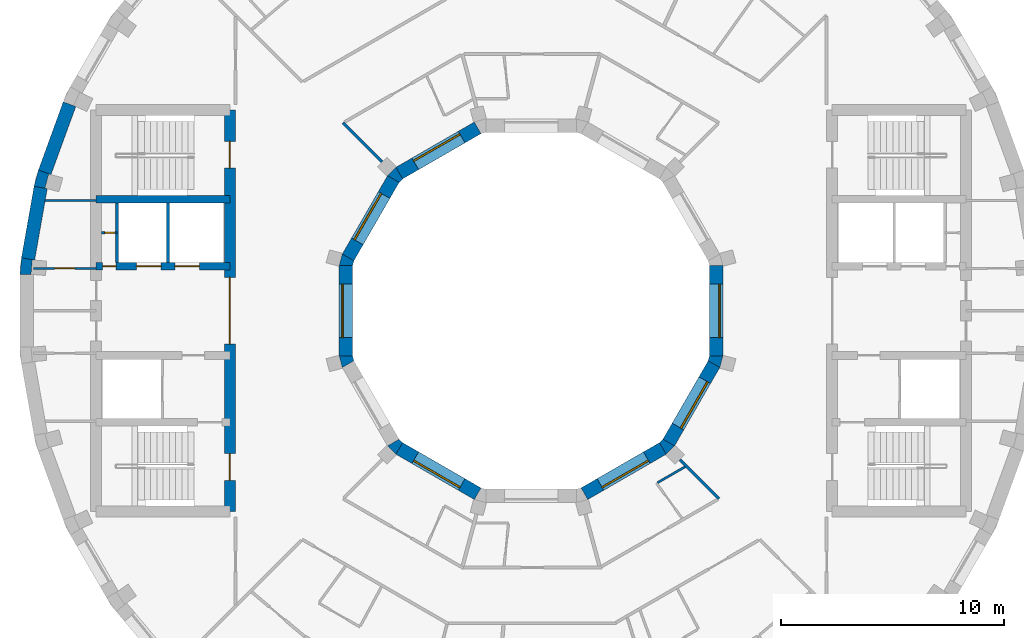
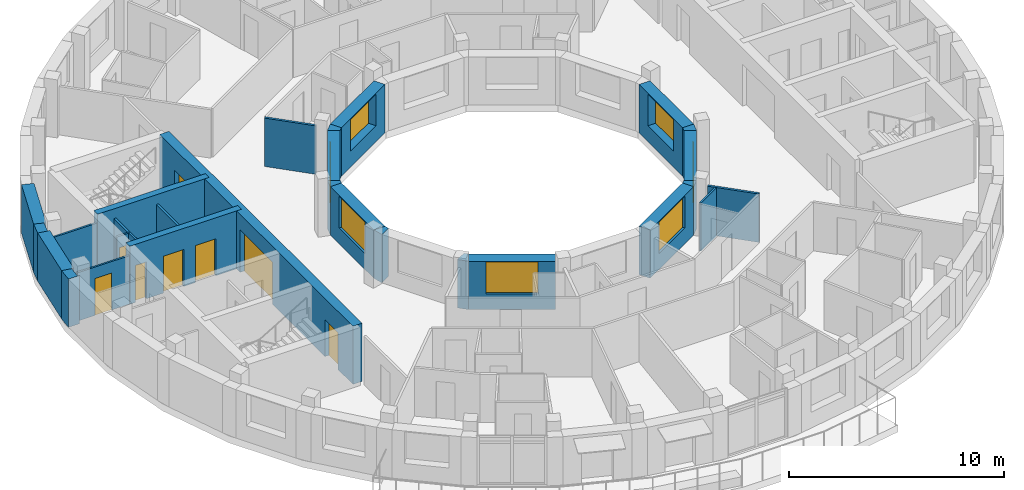
# One storey, part 6 of 12: 28 walls, 8 doors, 7 windows, 15 openings.
"""IFC4 building model written with IfcOpenShell, lengths in metres."""

from ifc_helpers import new_model, si_unit, direction, frame, frame_2d, origin, place, context, subcontext, project, spatial, polyline, rectangle, outline, extrude, material, layer, layer_set, type_object, element, fill, save


model = new_model("IFC4")

# Units and contexts
model_context = context("Model", 3, precision=1e-05, world=origin(), true_north=direction((0.0, 1.0)))
body_context = subcontext(model_context, "Body", "Model", "MODEL_VIEW")
ifc_project = project(units=[si_unit("LENGTHUNIT", "METRE"), si_unit("AREAUNIT", "SQUARE_METRE"), si_unit("VOLUMEUNIT", "CUBIC_METRE"), si_unit("PLANEANGLEUNIT", "RADIAN"), si_unit("MASSUNIT", "GRAM", prefix="KILO")], contexts=[model_context])

# Site, building, storey
site_placement = place(None, origin())
site = spatial("IfcSite", under=ifc_project, at=site_placement, CompositionType="ELEMENT")
building_placement = place(site_placement, origin())
building = spatial("IfcBuilding", under=site, at=building_placement, Name="Saqina Gate Tower", CompositionType="ELEMENT")
storey_placement = place(building_placement, frame((0.0, 0.0, 275.89990234375)))
storey = spatial("IfcBuildingStorey", under=building, at=storey_placement, Name="L79", CompositionType="ELEMENT", Elevation=275.89990234375)

# Walls
ifc_material_1 = material(Name="Brick masonry (buff)", Category="masonry")
wall_type_1 = type_object("IfcWallType", Name="BRICK PIER COPING BUFF", PredefinedType="SOLIDWALL", material=ifc_material_1)
wall_1_placement = place(storey_placement, origin())
element("IfcWall", 1, at=wall_1_placement, inside=storey, type_object=wall_type_1, Name="Pier cap L79 column 17", PredefinedType="SOLIDWALL", context=body_context, shape_type="SweptSolid", body=[
    extrude(outline(polyline([(-22.281982421875, 5.579833984375), (-21.691162109375, 5.4755859375), (-21.793212890625, 5.5029296875), (-21.625, 6.130859375), (-21.52294921875, 6.103515625), (-22.0869140625, 6.30859375), (-22.281982421875, 5.579833984375)])), origin(), (0.0, 0.0, 1.0), 2.75),
])
wall_2_placement = place(storey_placement, origin())
element("IfcWall", 2, at=wall_2_placement, inside=storey, type_object=wall_type_1, Name="Pier cap L79 column 18", PredefinedType="SOLIDWALL", context=body_context, shape_type="SweptSolid", body=[
    extrude(outline(polyline([(-22.8466796875, 2.377685546875), (-22.91259765625, 1.625732421875), (-22.3125, 1.625732421875), (-22.417724609375, 1.635009765625), (-22.361083984375, 2.28271484375), (-22.255859375, 2.2734375), (-22.8466796875, 2.377685546875)])), origin(), (0.0, 0.0, 1.0), 2.75),
])

# Wall, opening, door
ifc_material_2 = material(Name="Gypsum board on steel studs", Category="steel")
ifc_layer_1 = layer(ifc_material_2, 0.10009765625)
ifc_layer_set_1 = layer_set([ifc_layer_1], Name="CORE PARTITION")
wall_type_2 = type_object("IfcWallType", Name="CORE PARTITION", PredefinedType="PARTITIONING", material=ifc_layer_set_1)
wall_3_placement = place(storey_placement, frame((-18.56005859375, 3.5, 0.0), z_axis=(0.0, 0.0, 1.0), x_axis=(-1.0, 0.0, 0.0)))
wall_3 = element("IfcWall", 3, at=wall_3_placement, inside=storey, type_object=wall_type_2, Name="L79-CP-W01", PredefinedType="PARTITIONING", context=body_context, shape_type="SweptSolid", body=[
    extrude(rectangle(XDim=0.68994140625, YDim=0.10009765625, at=frame_2d((0.344970703125, 0.0))), origin(), (0.0, 0.0, 1.0), 2.75),
])
opening_1_placement = place(wall_3_placement, frame((0.10009765625, 0.0, 0.0)))
opening_1 = element("IfcOpeningElement", 4, at=opening_1_placement, cuts=wall_3, Name="Opening G23-D107", PredefinedType="OPENING", context=body_context, shape_type="SweptSolid", body=[
    extrude(rectangle(XDim=0.449951171875, YDim=2.10009765625, at=frame_2d((0.22509765625, 1.050048828125))), frame((0.0, 0.06201171875, 0.0), z_axis=(0.0, -1.0, 0.0), x_axis=(1.0, 0.0, 0.0)), (0.0, 0.0, 1.0), 0.1240234375),
])
ifc_material_3 = material(Name="Steel-framed fire door leaf, EI 60", Category="steel")
door_type_1 = type_object("IfcDoorType", Name="SERVICE ROOM DOOR 450", OperationType="SINGLE_SWING_LEFT", PredefinedType="DOOR", material=ifc_material_3)
door_1_placement = place(opening_1_placement, origin())
door_1 = element("IfcDoor", 5, at=door_1_placement, inside=storey, type_object=door_type_1, Name="L79-CD-W18", OperationType="SINGLE_SWING_RIGHT", OverallHeight=2.10009765625, OverallWidth=0.449951171875, PredefinedType="DOOR", context=body_context, shape_type="SweptSolid", body=[
    extrude(rectangle(XDim=0.449951171875, YDim=2.10009765625, at=frame_2d((0.22509765625, 1.050048828125))), frame((0.0, 0.02490234375, 0.0), z_axis=(0.0, -1.0, 0.0), x_axis=(1.0, 0.0, 0.0)), (0.0, 0.0, 1.0), 0.050048828125),
])
fill(opening_1, door_1)

# Wall
wall_4_placement = place(storey_placement, frame((-19.5, 4.949951171875, 0.0), z_axis=(0.0, 0.0, 1.0), x_axis=(-1.0, 0.0, 0.0)))
element("IfcWall", 6, at=wall_4_placement, inside=storey, type_object=wall_type_2, Name="L79-CP-W02", PredefinedType="PARTITIONING", context=body_context, shape_type="SweptSolid", body=[
    extrude(rectangle(XDim=2.283935546875, YDim=0.10009765625, at=frame_2d((1.14208984375, 0.0))), origin(), (0.0, 0.0, 1.0), 2.75),
])

# Wall, opening, door
wall_5_placement = place(storey_placement, frame((-19.5, 1.89990234375, 0.0), z_axis=(0.0, 0.0, 1.0), x_axis=(-1.0, 0.0, 0.0)))
wall_5 = element("IfcWall", 7, at=wall_5_placement, inside=storey, type_object=wall_type_2, Name="L79-CP-W03", PredefinedType="PARTITIONING", context=body_context, shape_type="SweptSolid", body=[
    extrude(rectangle(XDim=2.8125, YDim=0.10009765625, at=frame_2d((1.40625, 0.0))), origin(), (0.0, 0.0, 1.0), 2.75),
])
opening_2_placement = place(wall_5_placement, frame((0.956298828125, 0.0, 0.0)))
opening_2 = element("IfcOpeningElement", 8, at=opening_2_placement, cuts=wall_5, Name="Opening G23-D103", PredefinedType="OPENING", context=body_context, shape_type="SweptSolid", body=[
    extrude(rectangle(XDim=0.89990234375, YDim=2.10009765625, at=frame_2d((0.449951171875, 1.050048828125))), frame((0.0, 0.06201171875, 0.0), z_axis=(0.0, -1.0, 0.0), x_axis=(1.0, 0.0, 0.0)), (0.0, 0.0, 1.0), 0.1240234375),
])
ifc_material_4 = material(Name="Steel-framed fire door leaf, EI 60", Category="steel")
door_type_2 = type_object("IfcDoorType", Name="SERVICE ROOM DOOR 900", OperationType="SINGLE_SWING_LEFT", PredefinedType="DOOR", material=ifc_material_4)
door_2_placement = place(opening_2_placement, frame((0.89990234375, 0.0, 0.0), z_axis=(0.0, 0.0, 1.0), x_axis=(-1.0, 0.0, 0.0)))
door_2 = element("IfcDoor", 9, at=door_2_placement, inside=storey, type_object=door_type_2, Name="L79-CD-W14", OperationType="SINGLE_SWING_LEFT", OverallHeight=2.10009765625, OverallWidth=0.89990234375, PredefinedType="DOOR", context=body_context, shape_type="SweptSolid", body=[
    extrude(rectangle(XDim=0.89990234375, YDim=2.10009765625, at=frame_2d((0.449951171875, 1.050048828125))), frame((0.0, 0.02490234375, 0.0), z_axis=(0.0, -1.0, 0.0), x_axis=(1.0, 0.0, 0.0)), (0.0, 0.0, 1.0), 0.050048828125),
])
fill(opening_2, door_2)

# Walls
ifc_material_5 = material(Name="Glazed ceramic tile", Category="ceramic")
ifc_layer_2 = layer(ifc_material_5, 0.60009765625)
ifc_layer_set_2 = layer_set([ifc_layer_2], Name="FW-TILE")
wall_type_3 = type_object("IfcWallType", Name="FW-TILE", PredefinedType="SOLIDWALL", material=ifc_layer_set_2)
wall_6_placement = place(storey_placement, frame((-20.692626953125, 9.26171875, 0.0), z_axis=(0.0, 0.0, 1.0), x_axis=(-0.342056509473, -0.939679383794, 0.0)))
element("IfcWall", 10, at=wall_6_placement, inside=storey, type_object=wall_type_3, Name="Facade wall L79 facet 16", PredefinedType="SOLIDWALL", context=body_context, shape_type="SweptSolid", body=[
    extrude(rectangle(XDim=3.251708984375, YDim=0.60009765625, at=frame_2d((1.6259765625, 0.0))), origin(), (0.0, 0.0, 1.0), 2.75),
])
ifc_material_6 = material(Name="Glazed ceramic tile (white)", Category="ceramic")
ifc_layer_3 = layer(ifc_material_6, 0.60009765625)
ifc_layer_set_3 = layer_set([ifc_layer_3], Name="FW-TILE-WH")
wall_type_4 = type_object("IfcWallType", Name="FW-TILE-WH", PredefinedType="SOLIDWALL", material=ifc_layer_set_3)
wall_7_placement = place(storey_placement, frame((-21.986572265625, 5.52783203125, 0.0), z_axis=(0.0, 0.0, 1.0), x_axis=(-0.173656842178, -0.984806225186, 0.0)))
element("IfcWall", 11, at=wall_7_placement, inside=storey, type_object=wall_type_4, Name="Facade wall L79 facet 17", PredefinedType="SOLIDWALL", context=body_context, shape_type="SweptSolid", body=[
    extrude(rectangle(XDim=3.251708984375, YDim=0.60009765625, at=frame_2d((1.6259765625, 0.0))), origin(), (0.0, 0.0, 1.0), 2.75),
])

# Wall, opening, window
ifc_material_7 = material(Name="Glazed ceramic tile", Category="ceramic")
ifc_layer_4 = layer(ifc_material_7, 0.60009765625)
ifc_layer_set_4 = layer_set([ifc_layer_4], Name="IW-TILE")
wall_type_5 = type_object("IfcWallType", Name="IW-TILE", PredefinedType="SOLIDWALL", material=ifc_layer_set_4)
wall_8_placement = place(storey_placement, frame((-2.392578125, 8.20263671875, 0.0), z_axis=(0.0, 0.0, 1.0), x_axis=(-0.866028316509, -0.499994954979, 0.0)))
wall_8 = element("IfcWall", 12, at=wall_8_placement, inside=storey, type_object=wall_type_5, Name="Well wall L79 facet 4", PredefinedType="SOLIDWALL", context=body_context, shape_type="SweptSolid", body=[
    extrude(rectangle(XDim=4.05859375, YDim=0.60009765625, at=frame_2d((2.029296875, 0.0))), origin(), (0.0, 0.0, 1.0), 2.75),
])
opening_3_placement = place(wall_8_placement, frame((0.829345703125, 0.0, 0.89990234375)))
opening_3 = element("IfcOpeningElement", 13, at=opening_3_placement, cuts=wall_8, Name="Opening G23-W26", PredefinedType="OPENING", context=body_context, shape_type="SweptSolid", body=[
    extrude(rectangle(XDim=2.39990234375, YDim=1.800048828125, at=frame_2d((1.199951171875, 0.89990234375))), frame((0.0, 0.31201171875, 0.0), z_axis=(0.0, -1.0, 0.0), x_axis=(1.0, 0.0, 0.0)), (0.0, 0.0, 1.0), 0.6240234375),
])
ifc_material_8 = material(Name="Aluminium glazing", Category="aluminium")
window_type = type_object("IfcWindowType", Name="WN-W", PartitioningType="SINGLE_PANEL", PredefinedType="WINDOW", material=ifc_material_8)
window_1_placement = place(opening_3_placement, origin())
window_1 = element("IfcWindow", 14, at=window_1_placement, inside=storey, type_object=window_type, Name="Well window L79 facet 4", OverallHeight=1.800048828125, OverallWidth=2.39990234375, PartitioningType="SINGLE_PANEL", PredefinedType="WINDOW", context=body_context, shape_type="SweptSolid", body=[
    extrude(rectangle(XDim=2.39990234375, YDim=1.800048828125, at=frame_2d((1.199951171875, 0.89990234375))), frame((0.0, -0.119873046875, 0.0), z_axis=(0.0, -1.0, 0.0), x_axis=(1.0, 0.0, 0.0)), (0.0, 0.0, 1.0), 0.06005859375),
])
fill(opening_3, window_1)

wall_9_placement = place(storey_placement, frame((-6.17333984375, 5.907470703125, 0.0), z_axis=(0.0, 0.0, 1.0), x_axis=(-0.499994954979, -0.866028316509, 0.0)))
wall_9 = element("IfcWall", 15, at=wall_9_placement, inside=storey, type_object=wall_type_5, Name="Well wall L79 facet 5", PredefinedType="SOLIDWALL", context=body_context, shape_type="SweptSolid", body=[
    extrude(rectangle(XDim=4.05859375, YDim=0.60009765625, at=frame_2d((2.029296875, 0.0))), origin(), (0.0, 0.0, 1.0), 2.75),
])
opening_4_placement = place(wall_9_placement, frame((0.829345703125, 0.0, 0.89990234375)))
opening_4 = element("IfcOpeningElement", 16, at=opening_4_placement, cuts=wall_9, Name="Opening G23-W27", PredefinedType="OPENING", context=body_context, shape_type="SweptSolid", body=[
    extrude(rectangle(XDim=2.39990234375, YDim=1.800048828125, at=frame_2d((1.199951171875, 0.89990234375))), frame((0.0, 0.31201171875, 0.0), z_axis=(0.0, -1.0, 0.0), x_axis=(1.0, 0.0, 0.0)), (0.0, 0.0, 1.0), 0.6240234375),
])
window_2_placement = place(opening_4_placement, origin())
window_2 = element("IfcWindow", 17, at=window_2_placement, inside=storey, type_object=window_type, Name="Well window L79 facet 5", OverallHeight=1.800048828125, OverallWidth=2.39990234375, PartitioningType="SINGLE_PANEL", PredefinedType="WINDOW", context=body_context, shape_type="SweptSolid", body=[
    extrude(rectangle(XDim=2.39990234375, YDim=1.800048828125, at=frame_2d((1.199951171875, 0.89990234375))), frame((0.0, -0.119873046875, 0.0), z_axis=(0.0, -1.0, 0.0), x_axis=(1.0, 0.0, 0.0)), (0.0, 0.0, 1.0), 0.06005859375),
])
fill(opening_4, window_2)

wall_10_placement = place(storey_placement, frame((-8.300048828125, 2.029296875, 0.0), z_axis=(0.0, 0.0, 1.0), x_axis=(0.0, -1.0, 0.0)))
wall_10 = element("IfcWall", 18, at=wall_10_placement, inside=storey, type_object=wall_type_5, Name="Well wall L79 facet 6", PredefinedType="SOLIDWALL", context=body_context, shape_type="SweptSolid", body=[
    extrude(rectangle(XDim=4.05859375, YDim=0.60009765625, at=frame_2d((2.029296875, 0.0))), origin(), (0.0, 0.0, 1.0), 2.75),
])
opening_5_placement = place(wall_10_placement, frame((0.829345703125, 0.0, 0.89990234375)))
opening_5 = element("IfcOpeningElement", 19, at=opening_5_placement, cuts=wall_10, Name="Opening G23-W28", PredefinedType="OPENING", context=body_context, shape_type="SweptSolid", body=[
    extrude(rectangle(XDim=2.39990234375, YDim=1.800048828125, at=frame_2d((1.199951171875, 0.89990234375))), frame((0.0, 0.31201171875, 0.0), z_axis=(0.0, -1.0, 0.0), x_axis=(1.0, 0.0, 0.0)), (0.0, 0.0, 1.0), 0.6240234375),
])
window_3_placement = place(opening_5_placement, origin())
window_3 = element("IfcWindow", 20, at=window_3_placement, inside=storey, type_object=window_type, Name="Well window L79 facet 6", OverallHeight=1.800048828125, OverallWidth=2.39990234375, PartitioningType="SINGLE_PANEL", PredefinedType="WINDOW", context=body_context, shape_type="SweptSolid", body=[
    extrude(rectangle(XDim=2.39990234375, YDim=1.800048828125, at=frame_2d((1.199951171875, 0.89990234375))), frame((0.0, -0.119873046875, 0.0), z_axis=(0.0, -1.0, 0.0), x_axis=(1.0, 0.0, 0.0)), (0.0, 0.0, 1.0), 0.06005859375),
])
fill(opening_5, window_3)

wall_11_placement = place(storey_placement, frame((-5.907470703125, -6.17333984375, 0.0), z_axis=(0.0, 0.0, 1.0), x_axis=(0.866028316509, -0.499994954979, 0.0)))
wall_11 = element("IfcWall", 21, at=wall_11_placement, inside=storey, type_object=wall_type_5, Name="Well wall L79 facet 8", PredefinedType="SOLIDWALL", context=body_context, shape_type="SweptSolid", body=[
    extrude(rectangle(XDim=4.05859375, YDim=0.60009765625, at=frame_2d((2.029296875, 0.0))), origin(), (0.0, 0.0, 1.0), 2.75),
])
opening_6_placement = place(wall_11_placement, frame((0.829345703125, 0.0, 0.89990234375)))
opening_6 = element("IfcOpeningElement", 22, at=opening_6_placement, cuts=wall_11, Name="Opening G23-W30", PredefinedType="OPENING", context=body_context, shape_type="SweptSolid", body=[
    extrude(rectangle(XDim=2.39990234375, YDim=1.800048828125, at=frame_2d((1.199951171875, 0.89990234375))), frame((0.0, 0.31201171875, 0.0), z_axis=(0.0, -1.0, 0.0), x_axis=(1.0, 0.0, 0.0)), (0.0, 0.0, 1.0), 0.6240234375),
])
window_4_placement = place(opening_6_placement, origin())
window_4 = element("IfcWindow", 23, at=window_4_placement, inside=storey, type_object=window_type, Name="Well window L79 facet 8", OverallHeight=1.800048828125, OverallWidth=2.39990234375, PartitioningType="SINGLE_PANEL", PredefinedType="WINDOW", context=body_context, shape_type="SweptSolid", body=[
    extrude(rectangle(XDim=2.39990234375, YDim=1.800048828125, at=frame_2d((1.199951171875, 0.89990234375))), frame((0.0, -0.119873046875, 0.0), z_axis=(0.0, -1.0, 0.0), x_axis=(1.0, 0.0, 0.0)), (0.0, 0.0, 1.0), 0.06005859375),
])
fill(opening_6, window_4)

wall_12_placement = place(storey_placement, frame((2.392578125, -8.20263671875, 0.0), z_axis=(0.0, 0.0, 1.0), x_axis=(0.866028316509, 0.499994954979, 0.0)))
wall_12 = element("IfcWall", 24, at=wall_12_placement, inside=storey, type_object=wall_type_5, Name="Well wall L79 facet 10", PredefinedType="SOLIDWALL", context=body_context, shape_type="SweptSolid", body=[
    extrude(rectangle(XDim=4.05859375, YDim=0.60009765625, at=frame_2d((2.029296875, 0.0))), origin(), (0.0, 0.0, 1.0), 2.75),
])
opening_7_placement = place(wall_12_placement, frame((0.829345703125, 0.0, 0.89990234375)))
opening_7 = element("IfcOpeningElement", 25, at=opening_7_placement, cuts=wall_12, Name="Opening G23-W32", PredefinedType="OPENING", context=body_context, shape_type="SweptSolid", body=[
    extrude(rectangle(XDim=2.39990234375, YDim=1.800048828125, at=frame_2d((1.199951171875, 0.89990234375))), frame((0.0, 0.31201171875, 0.0), z_axis=(0.0, -1.0, 0.0), x_axis=(1.0, 0.0, 0.0)), (0.0, 0.0, 1.0), 0.6240234375),
])
window_5_placement = place(opening_7_placement, origin())
window_5 = element("IfcWindow", 26, at=window_5_placement, inside=storey, type_object=window_type, Name="Well window L79 facet 10", OverallHeight=1.800048828125, OverallWidth=2.39990234375, PartitioningType="SINGLE_PANEL", PredefinedType="WINDOW", context=body_context, shape_type="SweptSolid", body=[
    extrude(rectangle(XDim=2.39990234375, YDim=1.800048828125, at=frame_2d((1.199951171875, 0.89990234375))), frame((0.0, -0.119873046875, 0.0), z_axis=(0.0, -1.0, 0.0), x_axis=(1.0, 0.0, 0.0)), (0.0, 0.0, 1.0), 0.06005859375),
])
fill(opening_7, window_5)

wall_13_placement = place(storey_placement, frame((6.17333984375, -5.907470703125, 0.0), z_axis=(0.0, 0.0, 1.0), x_axis=(0.499994954979, 0.866028316509, 0.0)))
wall_13 = element("IfcWall", 27, at=wall_13_placement, inside=storey, type_object=wall_type_5, Name="Well wall L79 facet 11", PredefinedType="SOLIDWALL", context=body_context, shape_type="SweptSolid", body=[
    extrude(rectangle(XDim=4.05859375, YDim=0.60009765625, at=frame_2d((2.029296875, 0.0))), origin(), (0.0, 0.0, 1.0), 2.75),
])
opening_8_placement = place(wall_13_placement, frame((0.829345703125, 0.0, 0.89990234375)))
opening_8 = element("IfcOpeningElement", 28, at=opening_8_placement, cuts=wall_13, Name="Opening G23-W33", PredefinedType="OPENING", context=body_context, shape_type="SweptSolid", body=[
    extrude(rectangle(XDim=2.39990234375, YDim=1.800048828125, at=frame_2d((1.199951171875, 0.89990234375))), frame((0.0, 0.31201171875, 0.0), z_axis=(0.0, -1.0, 0.0), x_axis=(1.0, 0.0, 0.0)), (0.0, 0.0, 1.0), 0.6240234375),
])
window_6_placement = place(opening_8_placement, origin())
window_6 = element("IfcWindow", 29, at=window_6_placement, inside=storey, type_object=window_type, Name="Well window L79 facet 11", OverallHeight=1.800048828125, OverallWidth=2.39990234375, PartitioningType="SINGLE_PANEL", PredefinedType="WINDOW", context=body_context, shape_type="SweptSolid", body=[
    extrude(rectangle(XDim=2.39990234375, YDim=1.800048828125, at=frame_2d((1.199951171875, 0.89990234375))), frame((0.0, -0.119873046875, 0.0), z_axis=(0.0, -1.0, 0.0), x_axis=(1.0, 0.0, 0.0)), (0.0, 0.0, 1.0), 0.06005859375),
])
fill(opening_8, window_6)

wall_14_placement = place(storey_placement, frame((8.300048828125, -2.029296875, 0.0), z_axis=(0.0, 0.0, 1.0), x_axis=(0.0, 1.0, 0.0)))
wall_14 = element("IfcWall", 30, at=wall_14_placement, inside=storey, type_object=wall_type_5, Name="Well wall L79 facet 12", PredefinedType="SOLIDWALL", context=body_context, shape_type="SweptSolid", body=[
    extrude(rectangle(XDim=4.05859375, YDim=0.60009765625, at=frame_2d((2.029296875, 0.0))), origin(), (0.0, 0.0, 1.0), 2.75),
])
opening_9_placement = place(wall_14_placement, frame((0.829345703125, 0.0, 0.89990234375)))
opening_9 = element("IfcOpeningElement", 31, at=opening_9_placement, cuts=wall_14, Name="Opening G23-W34", PredefinedType="OPENING", context=body_context, shape_type="SweptSolid", body=[
    extrude(rectangle(XDim=2.39990234375, YDim=1.800048828125, at=frame_2d((1.199951171875, 0.89990234375))), frame((0.0, 0.31201171875, 0.0), z_axis=(0.0, -1.0, 0.0), x_axis=(1.0, 0.0, 0.0)), (0.0, 0.0, 1.0), 0.6240234375),
])
window_7_placement = place(opening_9_placement, origin())
window_7 = element("IfcWindow", 32, at=window_7_placement, inside=storey, type_object=window_type, Name="Well window L79 facet 12", OverallHeight=1.800048828125, OverallWidth=2.39990234375, PartitioningType="SINGLE_PANEL", PredefinedType="WINDOW", context=body_context, shape_type="SweptSolid", body=[
    extrude(rectangle(XDim=2.39990234375, YDim=1.800048828125, at=frame_2d((1.199951171875, 0.89990234375))), frame((0.0, -0.119873046875, 0.0), z_axis=(0.0, -1.0, 0.0), x_axis=(1.0, 0.0, 0.0)), (0.0, 0.0, 1.0), 0.06005859375),
])
fill(opening_9, window_7)

# Walls
ifc_material_9 = material(Name="Gypsum board on steel studs, 100 mm", Category="steel")
ifc_layer_5 = layer(ifc_material_9, 0.10009765625)
ifc_layer_set_5 = layer_set([ifc_layer_5], Name="PARTITION 100")
wall_type_6 = type_object("IfcWallType", Name="PARTITION 100", PredefinedType="PARTITIONING", material=ifc_layer_set_5)
wall_15_placement = place(storey_placement, frame((5.669189453125, -7.7080078125, 0.0), z_axis=(0.0, 0.0, 1.0), x_axis=(0.866134428192, 0.499811116623, 0.0)))
element("IfcWall", 33, at=wall_15_placement, inside=storey, type_object=wall_type_6, Name="PARTITION PW3-35", PredefinedType="PARTITIONING", context=body_context, shape_type="SweptSolid", body=[
    extrude(rectangle(XDim=1.43017578125, YDim=0.10009765625, at=frame_2d((0.715087890625, 0.0))), origin(), (0.0, 0.0, 1.0), 2.75),
])
ifc_material_10 = material(Name="Gypsum board on steel studs, 125 mm, fire rated", Category="steel")
ifc_layer_6 = layer(ifc_material_10, 0.125)
ifc_layer_set_6 = layer_set([ifc_layer_6], Name="PARTITION EI 30 125")
wall_type_7 = type_object("IfcWallType", Name="PARTITION EI 30 125", PredefinedType="PARTITIONING", material=ifc_layer_set_6)
for number, where, z_axis, x_axis, name in (
    (34, (-8.426025390625, 8.426025390625, 0.0), (0.0, 0.0, 1.0), (0.707106781187, -0.707106781187, 0.0), "PARTITION PW1-08"),
    (35, (6.6767578125, -6.6767578125, 0.0), (0.0, 0.0, 1.0), (0.707106781187, -0.707106781187, 0.0), "PARTITION PW1-09"),
):
    element("IfcWall", number, at=place(storey_placement, frame(where, z_axis=z_axis, x_axis=x_axis)), inside=storey, type_object=wall_type_7, Name=name, PredefinedType="PARTITIONING", context=body_context, shape_type="SweptSolid", body=[
        extrude(rectangle(XDim=2.473876953125, YDim=0.125, at=frame_2d((1.23681640625, 0.0))), origin(), (0.0, 0.0, 1.0), 2.75),
    ])
ifc_material_11 = material(Name="Autoclaved aerated concrete block", Category="concrete")
ifc_layer_7 = layer(ifc_material_11, 0.1201171875)
ifc_layer_set_7 = layer_set([ifc_layer_7], Name="SHAFT PARTITION")
wall_type_8 = type_object("IfcWallType", Name="SHAFT PARTITION", PredefinedType="PARTITIONING", material=ifc_layer_set_7)
for number, where, z_axis, x_axis, name in (
    (36, (-16.280029296875, 2.175048828125, 0.0), (0.0, 0.0, 1.0), (0.0, 1.0, 0.0), "L79-CP-W07"),
    (37, (-18.56005859375, 2.175048828125, 0.0), (0.0, 0.0, 1.0), (0.0, 1.0, 0.0), "L79-CP-W08"),
):
    element("IfcWall", number, at=place(storey_placement, frame(where, z_axis=z_axis, x_axis=x_axis)), inside=storey, type_object=wall_type_8, Name=name, PredefinedType="PARTITIONING", context=body_context, shape_type="SweptSolid", body=[
        extrude(rectangle(XDim=2.64990234375, YDim=0.1201171875, at=frame_2d((1.324951171875, 0.0))), origin(), (0.0, 0.0, 1.0), 2.75),
    ])
ifc_material_12 = material(Name="Concrete C60/75", Category="concrete")
ifc_layer_8 = layer(ifc_material_12, 0.35009765625)
ifc_layer_set_8 = layer_set([ifc_layer_8], Name="Concrete C60/75")
wall_type_9 = type_object("IfcWallType", Name="STR-CORE WALL-D-I", PredefinedType="SHEAR", material=ifc_layer_set_8)
wall_16_placement = place(storey_placement, frame((-13.5, 5.0, 0.0), z_axis=(0.0, 0.0, 1.0), x_axis=(-1.0, 0.0, 0.0)))
element("IfcWall", 38, at=wall_16_placement, inside=storey, type_object=wall_type_9, Name="CORE WALL L79 W-X1", PredefinedType="SHEAR", context=body_context, shape_type="SweptSolid", body=[
    extrude(rectangle(XDim=6.0, YDim=0.35009765625, at=frame_2d((3.0, 0.0))), origin(), (0.0, 0.0, 1.0), 3.300048828125),
])

# Wall, openings, doors
wall_17_placement = place(storey_placement, frame((-13.5, 2.0, 0.0), z_axis=(0.0, 0.0, 1.0), x_axis=(-1.0, 0.0, 0.0)))
wall_17 = element("IfcWall", 39, at=wall_17_placement, inside=storey, type_object=wall_type_9, Name="CORE WALL L79 W-L1", PredefinedType="SHEAR", context=body_context, shape_type="SweptSolid", body=[
    extrude(rectangle(XDim=6.0, YDim=0.35009765625, at=frame_2d((3.0, 0.0))), origin(), (0.0, 0.0, 1.0), 3.300048828125),
])
opening_10_placement = place(wall_17_placement, frame((1.3701171875, 0.0, 0.0)))
opening_10 = element("IfcOpeningElement", 40, at=opening_10_placement, cuts=wall_17, Name="Opening G23-LD4", PredefinedType="OPENING", context=body_context, shape_type="SweptSolid", body=[
    extrude(rectangle(XDim=1.10009765625, YDim=2.10009765625, at=frame_2d((0.550048828125, 1.050048828125))), frame((0.0, 0.18701171875, 0.0), z_axis=(0.0, -1.0, 0.0), x_axis=(1.0, 0.0, 0.0)), (0.0, 0.0, 1.0), 0.3740234375),
])
opening_11_placement = place(wall_17_placement, frame((3.090087890625, 0.0, 0.0)))
opening_11 = element("IfcOpeningElement", 41, at=opening_11_placement, cuts=wall_17, Name="Opening G23-LD5", PredefinedType="OPENING", context=body_context, shape_type="SweptSolid", body=[
    extrude(rectangle(XDim=1.10009765625, YDim=2.10009765625, at=frame_2d((0.550048828125, 1.050048828125))), frame((0.0, 0.18701171875, 0.0), z_axis=(0.0, -1.0, 0.0), x_axis=(1.0, 0.0, 0.0)), (0.0, 0.0, 1.0), 0.3740234375),
])
opening_12_placement = place(wall_17_placement, frame((5.10498046875, 0.0, 0.0)))
opening_12 = element("IfcOpeningElement", 42, at=opening_12_placement, cuts=wall_17, Name="Opening G23-D101", PredefinedType="OPENING", context=body_context, shape_type="SweptSolid", body=[
    extrude(rectangle(XDim=0.60009765625, YDim=2.10009765625, at=frame_2d((0.300048828125, 1.050048828125))), frame((0.0, 0.18701171875, 0.0), z_axis=(0.0, -1.0, 0.0), x_axis=(1.0, 0.0, 0.0)), (0.0, 0.0, 1.0), 0.3740234375),
])
ifc_material_13 = material(Name="Stainless steel", Category="steel")
door_type_3 = type_object("IfcDoorType", Name="LANDING DOOR", OperationType="DOUBLE_DOOR_SLIDING", PredefinedType="DOOR", material=ifc_material_13)
door_3_placement = place(opening_10_placement, origin())
door_3 = element("IfcDoor", 43, at=door_3_placement, inside=storey, type_object=door_type_3, Name="LANDING DOOR HR3", OperationType="DOUBLE_DOOR_SLIDING", OverallHeight=2.10009765625, OverallWidth=1.10009765625, PredefinedType="DOOR", context=body_context, shape_type="SweptSolid", body=[
    extrude(rectangle(XDim=1.10009765625, YDim=2.10009765625, at=frame_2d((0.550048828125, 1.050048828125))), frame((0.0, 0.02490234375, 0.0), z_axis=(0.0, -1.0, 0.0), x_axis=(1.0, 0.0, 0.0)), (0.0, 0.0, 1.0), 0.050048828125),
])
fill(opening_10, door_3)
door_4_placement = place(opening_11_placement, origin())
door_4 = element("IfcDoor", 44, at=door_4_placement, inside=storey, type_object=door_type_3, Name="LANDING DOOR HR4", OperationType="DOUBLE_DOOR_SLIDING", OverallHeight=2.10009765625, OverallWidth=1.10009765625, PredefinedType="DOOR", context=body_context, shape_type="SweptSolid", body=[
    extrude(rectangle(XDim=1.10009765625, YDim=2.10009765625, at=frame_2d((0.550048828125, 1.050048828125))), frame((0.0, 0.02490234375, 0.0), z_axis=(0.0, -1.0, 0.0), x_axis=(1.0, 0.0, 0.0)), (0.0, 0.0, 1.0), 0.050048828125),
])
fill(opening_11, door_4)
ifc_material_14 = material(Name="Steel-framed fire door leaf, EI 60", Category="steel")
door_type_4 = type_object("IfcDoorType", Name="SERVICE ROOM DOOR 600", OperationType="SINGLE_SWING_LEFT", PredefinedType="DOOR", material=ifc_material_14)
door_5_placement = place(opening_12_placement, frame((0.60009765625, 0.0, 0.0), z_axis=(0.0, 0.0, 1.0), x_axis=(-1.0, 0.0, 0.0)))
door_5 = element("IfcDoor", 45, at=door_5_placement, inside=storey, type_object=door_type_4, Name="L79-CD-W12", OperationType="SINGLE_SWING_LEFT", OverallHeight=2.10009765625, OverallWidth=0.60009765625, PredefinedType="DOOR", context=body_context, shape_type="SweptSolid", body=[
    extrude(rectangle(XDim=0.60009765625, YDim=2.10009765625, at=frame_2d((0.300048828125, 1.050048828125))), frame((0.0, 0.02490234375, 0.0), z_axis=(0.0, -1.0, 0.0), x_axis=(1.0, 0.0, 0.0)), (0.0, 0.0, 1.0), 0.050048828125),
])
fill(opening_12, door_5)

ifc_material_15 = material(Name="Concrete C60/75", Category="concrete")
ifc_layer_9 = layer(ifc_material_15, 0.5)
ifc_layer_set_9 = layer_set([ifc_layer_9], Name="Concrete C60/75")
wall_type_10 = type_object("IfcWallType", Name="STR-CORE WALL-D-O", PredefinedType="SHEAR", material=ifc_layer_set_9)
wall_18_placement = place(storey_placement, frame((-13.5, -9.0, 0.0), z_axis=(0.0, 0.0, 1.0), x_axis=(0.0, 1.0, 0.0)))
wall_18 = element("IfcWall", 46, at=wall_18_placement, inside=storey, type_object=wall_type_10, Name="CORE WALL L79 W-W1", PredefinedType="SHEAR", context=body_context, shape_type="SweptSolid", body=[
    extrude(rectangle(XDim=18.0, YDim=0.5, at=frame_2d((9.0, 0.0))), origin(), (0.0, 0.0, 1.0), 3.300048828125),
])
opening_13_placement = place(wall_18_placement, frame((15.39990234375, 0.0, 0.0)))
opening_13 = element("IfcOpeningElement", 47, at=opening_13_placement, cuts=wall_18, Name="Opening G23-D109", PredefinedType="OPENING", context=body_context, shape_type="SweptSolid", body=[
    extrude(rectangle(XDim=1.199951171875, YDim=2.10009765625, at=frame_2d((0.60009765625, 1.050048828125))), frame((0.0, 0.261962890625, 0.0), z_axis=(0.0, -1.0, 0.0), x_axis=(1.0, 0.0, 0.0)), (0.0, 0.0, 1.0), 0.52392578125),
])
opening_14_placement = place(wall_18_placement, frame((1.39990234375, 0.0, 0.0)))
opening_14 = element("IfcOpeningElement", 48, at=opening_14_placement, cuts=wall_18, Name="Opening G23-D110", PredefinedType="OPENING", context=body_context, shape_type="SweptSolid", body=[
    extrude(rectangle(XDim=1.199951171875, YDim=2.10009765625, at=frame_2d((0.60009765625, 1.050048828125))), frame((0.0, 0.261962890625, 0.0), z_axis=(0.0, -1.0, 0.0), x_axis=(1.0, 0.0, 0.0)), (0.0, 0.0, 1.0), 0.52392578125),
])
opening_15_placement = place(wall_18_placement, frame((7.5, 0.0, 0.0)))
opening_15 = element("IfcOpeningElement", 49, at=opening_15_placement, cuts=wall_18, Name="Opening G23-D111", PredefinedType="OPENING", context=body_context, shape_type="SweptSolid", body=[
    extrude(rectangle(XDim=3.0, YDim=2.39990234375, at=frame_2d((1.5, 1.199951171875))), frame((0.0, 0.261962890625, 0.0), z_axis=(0.0, -1.0, 0.0), x_axis=(1.0, 0.0, 0.0)), (0.0, 0.0, 1.0), 0.52392578125),
])
ifc_material_16 = material(Name="Steel", Category="steel")
door_type_5 = type_object("IfcDoorType", Name="FIRE DOOR EI 60", OperationType="SINGLE_SWING_LEFT", PredefinedType="DOOR", material=ifc_material_16)
door_6_placement = place(opening_13_placement, origin())
door_6 = element("IfcDoor", 50, at=door_6_placement, inside=storey, type_object=door_type_5, Name="L79-CD-W20", OperationType="SINGLE_SWING_RIGHT", OverallHeight=2.10009765625, OverallWidth=1.199951171875, PredefinedType="DOOR", context=body_context, shape_type="SweptSolid", body=[
    extrude(rectangle(XDim=1.199951171875, YDim=2.10009765625, at=frame_2d((0.60009765625, 1.050048828125))), frame((0.0, 0.02490234375, 0.0), z_axis=(0.0, -1.0, 0.0), x_axis=(1.0, 0.0, 0.0)), (0.0, 0.0, 1.0), 0.050048828125),
])
fill(opening_13, door_6)
door_7_placement = place(opening_14_placement, origin())
door_7 = element("IfcDoor", 51, at=door_7_placement, inside=storey, type_object=door_type_5, Name="L79-CD-W21", OperationType="SINGLE_SWING_LEFT", OverallHeight=2.10009765625, OverallWidth=1.199951171875, PredefinedType="DOOR", context=body_context, shape_type="SweptSolid", body=[
    extrude(rectangle(XDim=1.199951171875, YDim=2.10009765625, at=frame_2d((0.60009765625, 1.050048828125))), frame((0.0, 0.02490234375, 0.0), z_axis=(0.0, -1.0, 0.0), x_axis=(1.0, 0.0, 0.0)), (0.0, 0.0, 1.0), 0.050048828125),
])
fill(opening_14, door_7)
ifc_material_17 = material(Name="Steel and fire-resisting glass", Category="steel")
door_type_6 = type_object("IfcDoorType", Name="LOBBY SCREEN DOOR", OperationType="DOUBLE_DOOR_SLIDING", PredefinedType="DOOR", material=ifc_material_17)
door_8_placement = place(opening_15_placement, origin())
door_8 = element("IfcDoor", 52, at=door_8_placement, inside=storey, type_object=door_type_6, Name="L79-CD-W22", OperationType="DOUBLE_DOOR_SLIDING", OverallHeight=2.39990234375, OverallWidth=3.0, PredefinedType="DOOR", context=body_context, shape_type="SweptSolid", body=[
    extrude(rectangle(XDim=3.0, YDim=2.39990234375, at=frame_2d((1.5, 1.199951171875))), frame((0.0, 0.02490234375, 0.0), z_axis=(0.0, -1.0, 0.0), x_axis=(1.0, 0.0, 0.0)), (0.0, 0.0, 1.0), 0.050048828125),
])
fill(opening_15, door_8)

# Walls
ifc_material_18 = material(Name="Glazed ceramic tile", Category="ceramic")
wall_type_11 = type_object("IfcWallType", Name="TILE PIER COPING", PredefinedType="SOLIDWALL", material=ifc_material_18)
wall_19_placement = place(storey_placement, origin())
element("IfcWall", 53, at=wall_19_placement, inside=storey, type_object=wall_type_11, Name="Well pier cap L79 column 5", PredefinedType="SOLIDWALL", context=body_context, shape_type="SweptSolid", body=[
    extrude(outline(polyline([(-6.43310546875, 6.0576171875), (-5.91357421875, 5.757568359375), (-5.757568359375, 5.91357421875), (-6.0576171875, 6.43310546875), (-6.43310546875, 6.0576171875)])), origin(), (0.0, 0.0, 1.0), 2.75),
])
wall_20_placement = place(storey_placement, origin())
element("IfcWall", 54, at=wall_20_placement, inside=storey, type_object=wall_type_11, Name="Well pier cap L79 column 6", PredefinedType="SOLIDWALL", context=body_context, shape_type="SweptSolid", body=[
    extrude(outline(polyline([(-8.60009765625, 2.029296875), (-8.0, 2.029296875), (-7.94287109375, 2.242431640625), (-8.46240234375, 2.54248046875), (-8.60009765625, 2.029296875)])), origin(), (0.0, 0.0, 1.0), 2.75),
])
wall_21_placement = place(storey_placement, origin())
element("IfcWall", 55, at=wall_21_placement, inside=storey, type_object=wall_type_11, Name="Well pier cap L79 column 7", PredefinedType="SOLIDWALL", context=body_context, shape_type="SweptSolid", body=[
    extrude(outline(polyline([(-8.46240234375, -2.54248046875), (-7.94287109375, -2.242431640625), (-8.0, -2.029296875), (-8.60009765625, -2.029296875), (-8.46240234375, -2.54248046875)])), origin(), (0.0, 0.0, 1.0), 2.75),
])
wall_22_placement = place(storey_placement, origin())
element("IfcWall", 56, at=wall_22_placement, inside=storey, type_object=wall_type_11, Name="Well pier cap L79 column 8", PredefinedType="SOLIDWALL", context=body_context, shape_type="SweptSolid", body=[
    extrude(outline(polyline([(-6.0576171875, -6.43310546875), (-5.757568359375, -5.91357421875), (-5.91357421875, -5.757568359375), (-6.43310546875, -6.0576171875), (-6.0576171875, -6.43310546875)])), origin(), (0.0, 0.0, 1.0), 2.75),
])
wall_23_placement = place(storey_placement, origin())
element("IfcWall", 57, at=wall_23_placement, inside=storey, type_object=wall_type_11, Name="Well pier cap L79 column 11", PredefinedType="SOLIDWALL", context=body_context, shape_type="SweptSolid", body=[
    extrude(outline(polyline([(6.43310546875, -6.0576171875), (5.91357421875, -5.757568359375), (5.757568359375, -5.91357421875), (6.0576171875, -6.43310546875), (6.43310546875, -6.0576171875)])), origin(), (0.0, 0.0, 1.0), 2.75),
])
wall_24_placement = place(storey_placement, origin())
element("IfcWall", 58, at=wall_24_placement, inside=storey, type_object=wall_type_11, Name="Well pier cap L79 column 12", PredefinedType="SOLIDWALL", context=body_context, shape_type="SweptSolid", body=[
    extrude(outline(polyline([(8.60009765625, -2.029296875), (8.0, -2.029296875), (7.94287109375, -2.242431640625), (8.46240234375, -2.54248046875), (8.60009765625, -2.029296875)])), origin(), (0.0, 0.0, 1.0), 2.75),
])

save(model, "model.ifc")
